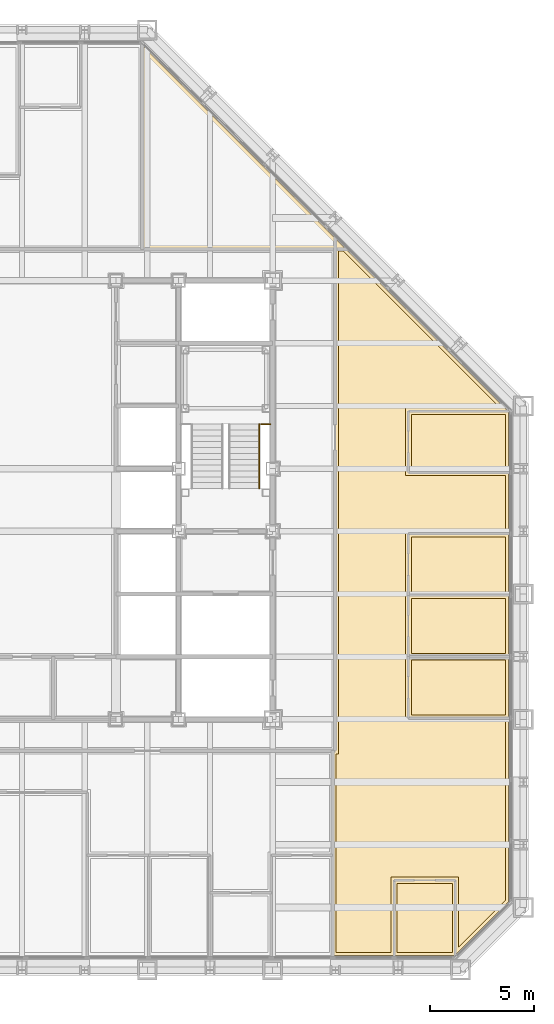
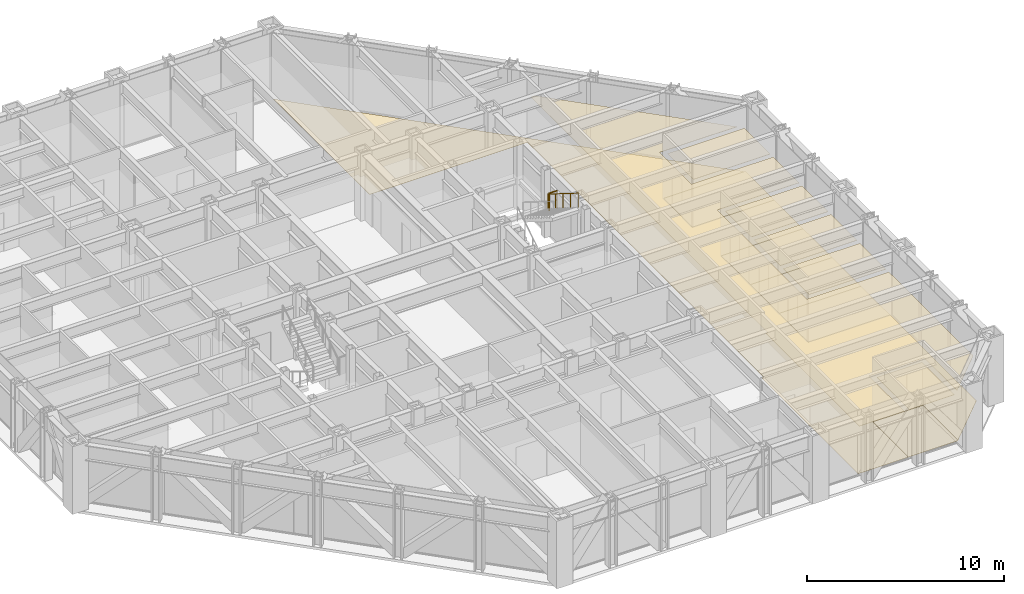
# One storey, part 15 of 16: 12 coverings, 2 railings.
"""IFC4 building model written with IfcOpenShell, lengths in metres."""

import ifcopenshell
import ifcopenshell.guid

model = None  # the IFC model being written
_history = None  # IfcOwnerHistory: only IFC2X3 demands one
_inside = {}  # id of a spatial element -> (the spatial element, [elements in it])
_under = {}  # id of a project, library or spatial element -> (it, [spatial elements below it])
_declared = {}  # id of a project -> (the project, [libraries it declares])
_typed = {}  # id of a type object -> (the type object, [elements of that type])
_made_of = {}  # id of a material, layer set ... -> (it, [elements and type objects made of it])


def new_model(schema):
    """Start an empty IFC model of exactly this schema.

    Asked for "IFC4X3", IfcOpenShell would pick the latest addendum, in which some entities
    have other attributes; the version numbers below select the first issue.
    IFC2X3 requires an IfcOwnerHistory on every rooted entity: one is made here for all.
    """
    global model, _history
    if schema == "IFC4X3":
        model = ifcopenshell.file(schema_version=(4, 3, 0, 0))
    else:
        model = ifcopenshell.file(schema=schema)
    _inside.clear()
    _under.clear()
    _declared.clear()
    _typed.clear()
    _made_of.clear()
    _history = None
    if model.schema == "IFC2X3":
        org = make("IfcOrganization", Name="unknown")
        user = make(
            "IfcPersonAndOrganization",
            ThePerson=make("IfcPerson", FamilyName="unknown"),
            TheOrganization=org,
        )
        app = make(
            "IfcApplication",
            ApplicationDeveloper=org,
            Version="unknown",
            ApplicationFullName="unknown",
            ApplicationIdentifier="unknown",
        )
        _history = make(
            "IfcOwnerHistory",
            OwningUser=user,
            OwningApplication=app,
            ChangeAction="ADDED",
            CreationDate=0,
        )
    return model


def make(cls, **values):
    """One entity of the class cls with the attributes given. An attribute that is None is left unset."""
    return model.create_entity(
        cls, **{name: value for name, value in values.items() if value is not None}
    )


def rooted(cls, **values):
    """An entity with a GlobalId (a new one), such as an element, a storey or a relation."""
    return make(cls, GlobalId=ifcopenshell.guid.new(), OwnerHistory=_history, **values)


def si_unit(unit_type, name, prefix=None):
    """IfcSIUnit, for example si_unit("LENGTHUNIT", "METRE", prefix="MILLI")."""
    return make("IfcSIUnit", UnitType=unit_type, Prefix=prefix, Name=name)


def assignment(units):
    """IfcUnitAssignment: the units of a project."""
    return None if units is None else make("IfcUnitAssignment", Units=units)


def point(xyz):
    """IfcCartesianPoint."""
    return None if xyz is None else make("IfcCartesianPoint", Coordinates=xyz)


def direction(xyz):
    """IfcDirection."""
    return None if xyz is None else make("IfcDirection", DirectionRatios=xyz)


def frame(location, z_axis=None, x_axis=None):
    """IfcAxis2Placement3D, a coordinate frame: its origin and axes. An axis left out is left unset."""
    return make(
        "IfcAxis2Placement3D",
        Location=point(location),
        Axis=direction(z_axis),
        RefDirection=direction(x_axis),
    )


def frame_2d(location, x_axis=None):
    """IfcAxis2Placement2D, a coordinate frame in the plane: its origin and x axis."""
    return make(
        "IfcAxis2Placement2D", Location=point(location), RefDirection=direction(x_axis)
    )


def origin():
    """The frame at (0, 0, 0) with its axes left unset."""
    return frame((0.0, 0.0, 0.0))


def origin_2d():
    """The frame at (0, 0) in the plane with its x axis left unset."""
    return frame_2d((0.0, 0.0))


def place(relative_to, where):
    """IfcLocalPlacement: puts the frame where relative to a parent placement (None: the world)."""
    return make(
        "IfcLocalPlacement", PlacementRelTo=relative_to, RelativePlacement=where
    )


def context(
    kind, dimensions, precision=None, world=None, true_north=None, identifier=None
):
    """IfcGeometricRepresentationContext, for example the 3D "Model" context."""
    return make(
        "IfcGeometricRepresentationContext",
        ContextIdentifier=identifier,
        ContextType=kind,
        CoordinateSpaceDimension=dimensions,
        Precision=precision,
        WorldCoordinateSystem=world,
        TrueNorth=true_north,
    )


def subcontext(parent, identifier, kind, view, scale=None):
    """IfcGeometricRepresentationSubContext, for example "Body" below "Model"."""
    return make(
        "IfcGeometricRepresentationSubContext",
        ContextIdentifier=identifier,
        ContextType=kind,
        ParentContext=parent,
        TargetScale=scale,
        TargetView=view,
    )


def project(units=None, contexts=None):
    """IfcProject with its units and contexts."""
    return rooted(
        "IfcProject",
        Name="project",
        RepresentationContexts=contexts,
        UnitsInContext=assignment(units),
    )


def spatial(cls, under=None, at=None, **own):
    """A site, building, storey or space (cls), placed at a placement, below another one or the project."""
    s = rooted(cls, ObjectPlacement=at, **own)
    if under is not None:
        _under.setdefault(under.id(), (under, []))[1].append(s)
    return s


def polyline(points):
    """IfcPolyline through the points."""
    return make("IfcPolyline", Points=[point(p) for p in points])


def profile(cls, at=None, kind="AREA", **sizes):
    """A parametric profile (cls). Its sizes go by their IFC names, for example OverallWidth=200.0."""
    return make(cls, ProfileType=kind, Position=at, **sizes)


def circle(**sizes):
    """IfcCircleProfileDef."""
    return profile("IfcCircleProfileDef", **sizes)


def outline(outer, holes=None, kind="AREA"):
    """IfcArbitraryClosedProfileDef: a profile drawn as a closed curve; with holes, ...WithVoids."""
    if holes is None:
        return make("IfcArbitraryClosedProfileDef", ProfileType=kind, OuterCurve=outer)
    return make(
        "IfcArbitraryProfileDefWithVoids",
        ProfileType=kind,
        OuterCurve=outer,
        InnerCurves=holes,
    )


def extrude(swept, where, along, depth):
    """IfcExtrudedAreaSolid: the profile swept, set in the frame where, extruded along a direction by depth."""
    return make(
        "IfcExtrudedAreaSolid",
        SweptArea=swept,
        Position=where,
        ExtrudedDirection=direction(along),
        Depth=depth,
    )


def shape(context_of_items, identifier, shape_type, items):
    """IfcShapeRepresentation: the items that make up one representation, for example the "Body"."""
    return make(
        "IfcShapeRepresentation",
        ContextOfItems=context_of_items,
        RepresentationIdentifier=identifier,
        RepresentationType=shape_type,
        Items=items,
    )


def material(Name=None, Category=None):
    """IfcMaterial."""
    return make("IfcMaterial", Name=Name, Category=Category)


def layer(
    of_material, thickness, ventilated=None, Name=None, Category=None, Priority=None
):
    """IfcMaterialLayer: one layer of a wall or slab, of a material (None: an air gap)."""
    return make(
        "IfcMaterialLayer",
        Material=of_material,
        LayerThickness=thickness,
        IsVentilated=ventilated,
        Name=Name,
        Category=Category,
        Priority=Priority,
    )


def layer_set(layers, Name=None):
    """IfcMaterialLayerSet."""
    return make("IfcMaterialLayerSet", MaterialLayers=layers, LayerSetName=Name)


def made_of(thing, what):
    """Note that an element or type object is made of a material, layer set ...; save() writes the relation."""
    if what is not None:
        _made_of.setdefault(what.id(), (what, []))[1].append(thing)
    return thing


def type_object(cls, material=None, **own):
    """A type object (cls), such as IfcWallType, which elements share."""
    return made_of(rooted(cls, **own), material)


def element(
    cls,
    number,
    at=None,
    inside=None,
    cuts=None,
    type_object=None,
    material=None,
    context=None,
    identifier="Body",
    shape_type=None,
    held_by="IfcProductDefinitionShape",
    body=None,
    shapes=None,
    **own,
):
    """One element of the class cls, such as IfcWall. Its Tag is "e" and its number.

    at: its placement. inside: the storey or other place that contains it. cuts: it is an
    opening in that element (IfcRelVoidsElement). A single representation is given by context,
    identifier, shape_type and body (its items); several are given by shapes. held_by: the class
    of the entity that holds the representations. save() writes the other relations.
    """
    e = rooted(cls, Tag="e%d" % number, ObjectPlacement=at, **own)
    if body is not None:
        shapes = [shape(context, identifier, shape_type, body)]
    if shapes is not None:
        e.Representation = make(held_by, Representations=shapes)
    if inside is not None:
        _inside.setdefault(inside.id(), (inside, []))[1].append(e)
    if cuts is not None:
        rooted(
            "IfcRelVoidsElement", RelatingBuildingElement=cuts, RelatedOpeningElement=e
        )
    if type_object is not None:
        _typed.setdefault(type_object.id(), (type_object, []))[1].append(e)
    return made_of(e, material)


def aggregate(whole, parts):
    """IfcRelAggregates: a whole, such as a stair, and the parts it consists of."""
    return rooted("IfcRelAggregates", RelatingObject=whole, RelatedObjects=parts)


def save(model, path):
    """Write the relations noted so far, then the file.

    IfcRelAggregates (storeys below a building ...), IfcRelContainedInSpatialStructure (elements
    in a storey), IfcRelDefinesByType, IfcRelAssociatesMaterial and IfcRelDeclares: one each for
    every whole, place, type object, material and project.
    """
    for whole, parts in _under.values():
        aggregate(whole, parts)
    for where, things in _inside.values():
        rooted(
            "IfcRelContainedInSpatialStructure",
            RelatedElements=things,
            RelatingStructure=where,
        )
    for kind, things in _typed.values():
        rooted("IfcRelDefinesByType", RelatedObjects=things, RelatingType=kind)
    for what, things in _made_of.values():
        rooted("IfcRelAssociatesMaterial", RelatedObjects=things, RelatingMaterial=what)
    for by, libraries in _declared.values():
        rooted("IfcRelDeclares", RelatingContext=by, RelatedDefinitions=libraries)
    model.write(path)


model = new_model("IFC4")

# Units and contexts
model_context = context("Model", 3, precision=1e-05, world=origin(), true_north=direction((0.0, 1.0)))
body_context = subcontext(model_context, "Body", "Model", "MODEL_VIEW")
ifc_project = project(units=[si_unit("LENGTHUNIT", "METRE"), si_unit("AREAUNIT", "SQUARE_METRE"), si_unit("VOLUMEUNIT", "CUBIC_METRE"), si_unit("PLANEANGLEUNIT", "RADIAN"), si_unit("MASSUNIT", "GRAM", prefix="KILO")], contexts=[model_context])

# Site, building, storey
site_placement = place(None, origin())
site = spatial("IfcSite", under=ifc_project, at=site_placement, CompositionType="ELEMENT")
building_placement = place(site_placement, origin())
building = spatial("IfcBuilding", under=site, at=building_placement, Name="Chuquiago Exchange Tower", CompositionType="ELEMENT")
storey_placement = place(building_placement, frame((0.0, 0.0, 140.39990234375)))
storey = spatial("IfcBuildingStorey", under=building, at=storey_placement, Name="L30", CompositionType="ELEMENT", Elevation=140.39990234375)

# Coverings
ifc_material_1 = material(Name="Mineral fibre tile, 600 x 600, on pale metal grid", Category="mineral fibre")
ifc_layer_1 = layer(ifc_material_1, 0.02001953125)
ifc_layer_set_1 = layer_set([ifc_layer_1], Name="CL1 suspended tile ceiling 20")
covering_type_1 = type_object("IfcCoveringType", Name="CL1 suspended tile ceiling 20", PredefinedType="CEILING", material=ifc_layer_set_1)
covering_1_placement = place(storey_placement, frame((0.0, 0.0, 2.800048828125)))
element("IfcCovering", 1, at=covering_1_placement, inside=storey, type_object=covering_type_1, Name="Ceiling Pantry", PredefinedType="CEILING", context=body_context, shape_type="SweptSolid", body=[
    extrude(outline(polyline([(38.963623046875, 0.85009765625), (38.963623046875, 4.14990234375), (41.6015625, 4.14990234375), (41.6015625, 0.85009765625), (38.963623046875, 0.85009765625)])), origin(), (0.0, 0.0, 1.0), 0.02001953125),
])
covering_2_placement = place(storey_placement, frame((0.0, 0.0, 2.800048828125)))
element("IfcCovering", 2, at=covering_2_placement, inside=storey, type_object=covering_type_1, Name="Ceiling Office", PredefinedType="CEILING", context=body_context, shape_type="SweptSolid", body=[
    extrude(outline(polyline([(39.64990234375, 12.212158203125), (39.64990234375, 14.85009765625), (44.14990234375, 14.85009765625), (44.14990234375, 12.212158203125), (39.64990234375, 12.212158203125)])), origin(), (0.0, 0.0, 1.0), 0.02001953125),
])
covering_3_placement = place(storey_placement, frame((0.0, 0.0, 2.800048828125)))
element("IfcCovering", 3, at=covering_3_placement, inside=storey, type_object=covering_type_1, Name="Ceiling Office", PredefinedType="CEILING", context=body_context, shape_type="SweptSolid", body=[
    extrude(outline(polyline([(39.64990234375, 15.14990234375), (39.64990234375, 17.787841796875), (44.14990234375, 17.787841796875), (44.14990234375, 15.14990234375), (39.64990234375, 15.14990234375)])), origin(), (0.0, 0.0, 1.0), 0.02001953125),
])
covering_4_placement = place(storey_placement, frame((0.0, 0.0, 2.800048828125)))
element("IfcCovering", 4, at=covering_4_placement, inside=storey, type_object=covering_type_1, Name="Ceiling Meeting room", PredefinedType="CEILING", context=body_context, shape_type="SweptSolid", body=[
    extrude(outline(polyline([(39.64990234375, 18.087890625), (39.64990234375, 20.7255859375), (44.14990234375, 20.7255859375), (44.14990234375, 18.087890625), (39.64990234375, 18.087890625)])), origin(), (0.0, 0.0, 1.0), 0.02001953125),
])
covering_5_placement = place(storey_placement, frame((0.0, 0.0, 2.800048828125)))
element("IfcCovering", 5, at=covering_5_placement, inside=storey, type_object=covering_type_1, Name="Ceiling Office", PredefinedType="CEILING", context=body_context, shape_type="SweptSolid", body=[
    extrude(outline(polyline([(44.14990234375, 23.963623046875), (39.64990234375, 23.963623046875), (39.64990234375, 26.6015625), (44.14990234375, 26.6015625), (44.14990234375, 23.963623046875)])), origin(), (0.0, 0.0, 1.0), 0.02001953125),
])
covering_6_placement = place(storey_placement, frame((0.0, 0.0, 2.800048828125)))
element("IfcCovering", 6, at=covering_6_placement, inside=storey, type_object=covering_type_1, Name="Ceiling Open office east suite", PredefinedType="CEILING", context=body_context, shape_type="SweptSolid", body=[
    extrude(outline(polyline([(36.150390625, 10.3505859375), (36.150390625, 34.4150390625), (36.383056640625, 34.4150390625), (43.896484375, 26.901611328125), (39.35009765625, 26.901611328125), (39.35009765625, 23.66357421875), (44.14990234375, 23.66357421875), (44.14990234375, 21.025634765625), (39.35009765625, 21.025634765625), (39.35009765625, 11.912109375), (44.14990234375, 11.912109375), (44.14990234375, 3.35205078125), (41.901611328125, 1.103515625), (41.901611328125, 4.449951171875), (38.66357421875, 4.449951171875), (38.66357421875, 0.85009765625), (36.026123046875, 0.85009765625), (36.026123046875, 10.35009765625), (36.150390625, 10.3505859375)])), origin(), (0.0, 0.0, 1.0), 0.02001953125),
])
ifc_material_2 = material(Name="Carpet tile, 500 x 500, on the floor slab", Category="textile")
ifc_layer_2 = layer(ifc_material_2, 0.010009765625)
ifc_layer_set_2 = layer_set([ifc_layer_2], Name="FL1 carpet tile 10")
covering_type_2 = type_object("IfcCoveringType", Name="FL1 carpet tile 10", PredefinedType="FLOORING", material=ifc_layer_set_2)
covering_7_placement = place(storey_placement, origin())
element("IfcCovering", 7, at=covering_7_placement, inside=storey, type_object=covering_type_2, Name="Floor finish Office", PredefinedType="FLOORING", context=body_context, shape_type="SweptSolid", body=[
    extrude(outline(polyline([(44.300048828125, 12.06201171875), (39.5, 12.06201171875), (39.5, 15.0), (44.300048828125, 15.0), (44.300048828125, 12.06201171875)])), origin(), (0.0, 0.0, 1.0), 0.010009765625),
])
covering_8_placement = place(storey_placement, origin())
element("IfcCovering", 8, at=covering_8_placement, inside=storey, type_object=covering_type_2, Name="Floor finish Office", PredefinedType="FLOORING", context=body_context, shape_type="SweptSolid", body=[
    extrude(outline(polyline([(44.300048828125, 15.0), (39.5, 15.0), (39.5, 17.93798828125), (44.300048828125, 17.93798828125), (44.300048828125, 15.0)])), origin(), (0.0, 0.0, 1.0), 0.010009765625),
])
covering_9_placement = place(storey_placement, origin())
element("IfcCovering", 9, at=covering_9_placement, inside=storey, type_object=covering_type_2, Name="Floor finish Meeting room", PredefinedType="FLOORING", context=body_context, shape_type="SweptSolid", body=[
    extrude(outline(polyline([(44.300048828125, 17.93798828125), (39.5, 17.93798828125), (39.5, 20.875732421875), (44.300048828125, 20.875732421875), (44.300048828125, 17.93798828125)])), origin(), (0.0, 0.0, 1.0), 0.010009765625),
])
covering_10_placement = place(storey_placement, origin())
element("IfcCovering", 10, at=covering_10_placement, inside=storey, type_object=covering_type_2, Name="Floor finish Office", PredefinedType="FLOORING", context=body_context, shape_type="SweptSolid", body=[
    extrude(outline(polyline([(44.300048828125, 26.710205078125), (44.300048828125, 23.813720703125), (39.5, 23.813720703125), (39.5, 26.75146484375), (44.258544921875, 26.75146484375), (44.300048828125, 26.710205078125)])), origin(), (0.0, 0.0, 1.0), 0.010009765625),
])
covering_11_placement = place(storey_placement, origin())
element("IfcCovering", 11, at=covering_11_placement, inside=storey, type_object=covering_type_2, Name="Floor finish Open office east suite", PredefinedType="FLOORING", context=body_context, shape_type="SweptSolid", body=[
    extrude(outline(polyline([(44.258544921875, 26.75146484375), (39.5, 26.75146484375), (39.5, 23.813720703125), (44.300048828125, 23.813720703125), (44.300048828125, 20.875732421875), (39.5, 20.875732421875), (39.5, 12.06201171875), (44.300048828125, 12.06201171875), (44.300048828125, 3.289794921875), (41.75146484375, 0.741455078125), (41.75146484375, 4.300048828125), (38.813720703125, 4.300048828125), (38.813720703125, 0.699951171875), (35.876220703125, 0.699951171875), (35.876220703125, 10.49951171875), (36.00048828125, 10.5), (36.00048828125, 34.5), (26.751953125, 34.50048828125), (26.751953125, 44.258056640625), (44.258544921875, 26.75146484375)])), origin(), (0.0, 0.0, 1.0), 0.010009765625),
])
ifc_material_3 = material(Name="Porcelain floor tile, 600 x 600, on adhesive bed", Category="ceramic")
ifc_layer_3 = layer(ifc_material_3, 0.014892578125)
ifc_layer_set_3 = layer_set([ifc_layer_3], Name="FL2 porcelain tile 15")
covering_type_3 = type_object("IfcCoveringType", Name="FL2 porcelain tile 15", PredefinedType="FLOORING", material=ifc_layer_set_3)
covering_12_placement = place(storey_placement, origin())
element("IfcCovering", 12, at=covering_12_placement, inside=storey, type_object=covering_type_3, Name="Floor finish Pantry", PredefinedType="FLOORING", context=body_context, shape_type="SweptSolid", body=[
    extrude(outline(polyline([(41.710205078125, 0.699951171875), (38.813720703125, 0.699951171875), (38.813720703125, 4.300048828125), (41.75146484375, 4.300048828125), (41.75146484375, 0.741455078125), (41.710205078125, 0.699951171875)])), origin(), (0.0, 0.0, 1.0), 0.01513671875),
])

# Railings
ifc_material_4 = material(Name="Pale metal guard with safety glass infill", Category="glass")
railing_type_1 = type_object("IfcRailingType", Name="GR1 guard 1100", PredefinedType="GUARDRAIL", material=ifc_material_4)
railing_1_placement = place(storey_placement, frame((32.445068359375, 26.1298828125, 2.10009765625)))
element("IfcRailing", 13, at=railing_1_placement, inside=storey, type_object=railing_type_1, Name="Guard ST2 L30 landing 2", PredefinedType="GUARDRAIL", context=body_context, shape_type="SweptSolid", body=[
    extrude(circle(Radius=0.02392578125, at=origin_2d()), frame((0.0, 0.0, 1.076171875), z_axis=(1.0, 0.0, 0.0), x_axis=(0.0, 1.0, 0.0)), (0.0, 0.0, 1.0), 0.454833984375),
    extrude(circle(Radius=0.02099609375, at=origin_2d()), origin(), (0.0, 0.0, 1.0), 1.052001953125),
    extrude(circle(Radius=0.02099609375, at=origin_2d()), frame((0.454833984375, 0.0, 0.0)), (0.0, 0.0, 1.0), 1.052001953125),
])
ifc_material_5 = material(Name="Pale metal handrail", Category="steel")
railing_type_2 = type_object("IfcRailingType", Name="HR1 handrail 900", PredefinedType="HANDRAIL", material=ifc_material_5)
railing_2_placement = place(storey_placement, frame((32.364990234375, 26.1298828125, 2.275146484375)))
element("IfcRailing", 14, at=railing_2_placement, inside=storey, type_object=railing_type_2, Name="Handrail ST2 L30 flight 2", PredefinedType="HANDRAIL", context=body_context, shape_type="SweptSolid", body=[
    extrude(circle(Radius=0.02392578125, at=origin_2d()), frame((0.0, 0.0, 0.8759765625), z_axis=(0.0, -0.847979421464, 0.530029150871), x_axis=(1.0, 0.0, 0.0)), (0.0, 0.0, 1.0), 3.632080078125),
    extrude(circle(Radius=0.02099609375, at=origin_2d()), origin(), (0.0, 0.0, 1.0), 0.851806640625),
    extrude(circle(Radius=0.02099609375, at=origin_2d()), frame((0.0, -0.77001953125, 0.481201171875)), (0.0, 0.0, 1.0), 0.851806640625),
    extrude(circle(Radius=0.02099609375, at=origin_2d()), frame((0.0, -1.5400390625, 0.96240234375)), (0.0, 0.0, 1.0), 0.851806640625),
    extrude(circle(Radius=0.02099609375, at=origin_2d()), frame((0.0, -2.309814453125, 1.44384765625)), (0.0, 0.0, 1.0), 0.851806640625),
    extrude(circle(Radius=0.02099609375, at=origin_2d()), frame((0.0, -3.079833984375, 1.925048828125)), (0.0, 0.0, 1.0), 0.851806640625),
])

save(model, "model.ifc")
